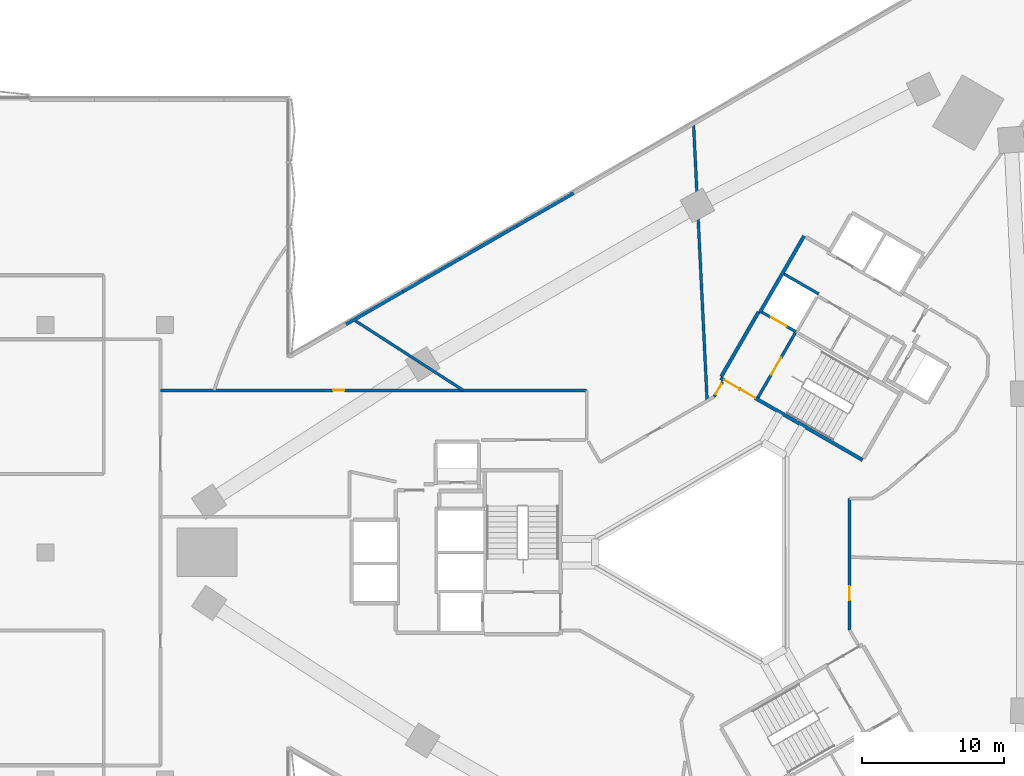
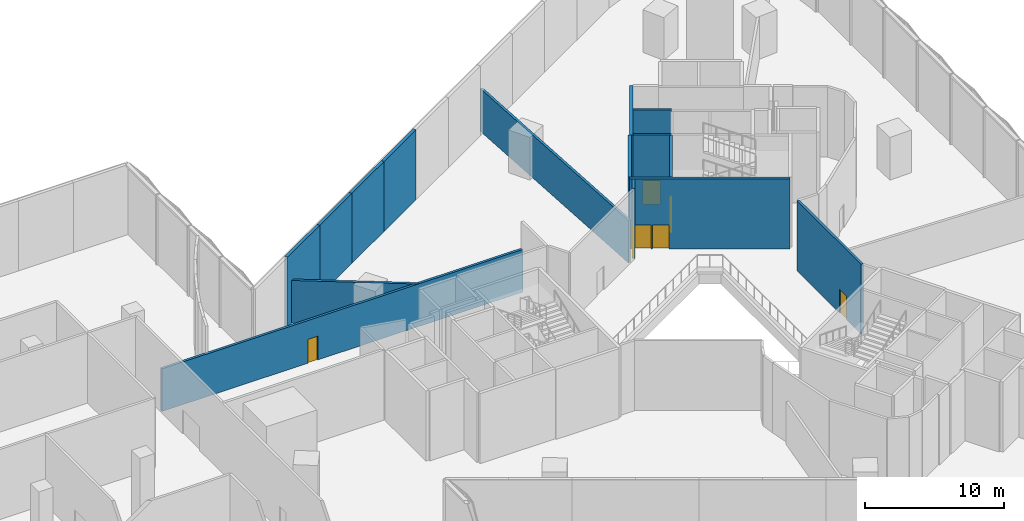
# One storey, part 16 of 32: 15 walls, 7 doors, 7 openings.
"""IFC4 building model written with IfcOpenShell, lengths in metres."""

from ifc_helpers import new_model, si_unit, direction, frame, frame_2d, origin, place, context, subcontext, project, spatial, rectangle, extrude, material, layer, layer_set, type_object, element, fill, save


model = new_model("IFC4")

# Units and contexts
model_context = context("Model", 3, precision=1e-05, world=origin(), true_north=direction((0.0, 1.0)))
body_context = subcontext(model_context, "Body", "Model", "MODEL_VIEW")
ifc_project = project(units=[si_unit("LENGTHUNIT", "METRE"), si_unit("AREAUNIT", "SQUARE_METRE"), si_unit("VOLUMEUNIT", "CUBIC_METRE"), si_unit("PLANEANGLEUNIT", "RADIAN"), si_unit("MASSUNIT", "GRAM", prefix="KILO")], contexts=[model_context])

# Site, building, storey
site_placement = place(None, origin())
site = spatial("IfcSite", under=ifc_project, at=site_placement, CompositionType="ELEMENT")
building_placement = place(site_placement, origin())
building = spatial("IfcBuilding", under=site, at=building_placement, Name="Tamra Quay Hotel Tower", CompositionType="ELEMENT")
storey_placement = place(building_placement, frame((0.0, 0.0, 7.5)))
storey = spatial("IfcBuildingStorey", under=building, at=storey_placement, Name="L01", CompositionType="ELEMENT", Elevation=7.5)

# Wall, opening, door
ifc_material_1 = material(Name="Concrete M70", Category="concrete")
ifc_layer_1 = layer(ifc_material_1, 0.199951171875)
ifc_layer_set_1 = layer_set([ifc_layer_1], Name="Concrete M70 core wall 200")
wall_type_1 = type_object("IfcWallType", Name="Concrete M70 core wall 200", PredefinedType="SHEAR", material=ifc_layer_set_1)
wall_1_placement = place(storey_placement, frame((3.056640625, 10.89453125, 0.0), z_axis=(0.0, 0.0, 1.0), x_axis=(0.499989418164, 0.866031513124, 0.0)))
wall_1 = element("IfcWall", 1, at=wall_1_placement, inside=storey, type_object=wall_type_1, Name="CW2", PredefinedType="SHEAR", context=body_context, shape_type="SweptSolid", body=[
    extrude(rectangle(XDim=5.2509765625, YDim=0.199951171875, at=frame_2d((2.62548828125, 0.0))), origin(), (0.0, 0.0, 1.0), 6.14990234375),
])
opening_1_placement = place(wall_1_placement, frame((1.84912109375, 0.0, 0.0)))
opening_1 = element("IfcOpeningElement", 2, at=opening_1_placement, cuts=wall_1, Name="Opening FD2", PredefinedType="OPENING", context=body_context, shape_type="SweptSolid", body=[
    extrude(rectangle(XDim=1.39990234375, YDim=2.10009765625, at=frame_2d((0.699951171875, 1.050048828125))), frame((0.0, 0.10986328125, 0.0), z_axis=(0.0, -1.0, 0.0), x_axis=(1.0, 0.0, 0.0)), (0.0, 0.0, 1.0), 0.219970703125),
])
ifc_material_2 = material(Name="Core door FD2 1400x2100 RH")
door_type_1 = type_object("IfcDoorType", Name="Core door FD2 1400x2100 RH", OperationType="NOTDEFINED", PredefinedType="DOOR", material=ifc_material_2)
door_1_placement = place(opening_1_placement, origin())
door_1 = element("IfcDoor", 3, at=door_1_placement, inside=storey, type_object=door_type_1, Name="FD2", OperationType="SINGLE_SWING_RIGHT", OverallHeight=2.10009765625, OverallWidth=1.39990234375, PredefinedType="DOOR", context=body_context, shape_type="SweptSolid", body=[
    extrude(rectangle(XDim=1.39990234375, YDim=2.10009765625, at=frame_2d((0.699951171875, 1.050048828125))), frame((0.0, 0.02490234375, 0.0), z_axis=(0.0, -1.0, 0.0), x_axis=(1.0, 0.0, 0.0)), (0.0, 0.0, 1.0), 0.050048828125),
])
fill(opening_1, door_1)

wall_2_placement = place(storey_placement, frame((5.72509765625, 15.530517578125, 0.0), z_axis=(0.0, 0.0, 1.0), x_axis=(-0.866037306777, 0.499979382845, 0.0)))
wall_2 = element("IfcWall", 4, at=wall_2_placement, inside=storey, type_object=wall_type_1, Name="CW2", PredefinedType="SHEAR", context=body_context, shape_type="SweptSolid", body=[
    extrude(rectangle(XDim=2.74169921875, YDim=0.199951171875, at=frame_2d((1.370849609375, 0.0))), origin(), (0.0, 0.0, 1.0), 6.14990234375),
])
opening_2_placement = place(wall_2_placement, frame((0.742919921875, 0.0, 0.0)))
opening_2 = element("IfcOpeningElement", 5, at=opening_2_placement, cuts=wall_2, Name="Opening LD", PredefinedType="OPENING", context=body_context, shape_type="SweptSolid", body=[
    extrude(rectangle(XDim=1.300048828125, YDim=2.10009765625, at=frame_2d((0.64990234375, 1.050048828125))), frame((0.0, 0.10986328125, 0.0), z_axis=(0.0, -1.0, 0.0), x_axis=(1.0, 0.0, 0.0)), (0.0, 0.0, 1.0), 0.219970703125),
])
ifc_material_3 = material(Name="Landing door LD 1300 sliding to right")
door_type_2 = type_object("IfcDoorType", Name="Landing door LD 1300 sliding to right", OperationType="NOTDEFINED", PredefinedType="DOOR", material=ifc_material_3)
door_2_placement = place(opening_2_placement, origin())
door_2 = element("IfcDoor", 6, at=door_2_placement, inside=storey, type_object=door_type_2, Name="LD", OperationType="SLIDING_TO_RIGHT", OverallHeight=2.10009765625, OverallWidth=1.300048828125, PredefinedType="DOOR", context=body_context, shape_type="SweptSolid", body=[
    extrude(rectangle(XDim=1.300048828125, YDim=2.10009765625, at=frame_2d((0.64990234375, 1.050048828125))), frame((0.0, 0.02490234375, 0.0), z_axis=(0.0, -1.0, 0.0), x_axis=(1.0, 0.0, 0.0)), (0.0, 0.0, 1.0), 0.050048828125),
])
fill(opening_2, door_2)

# Wall
wall_3_placement = place(storey_placement, frame((4.900634765625, 19.5859375, 0.0), z_axis=(0.0, 0.0, 1.0), x_axis=(0.866022890907, -0.500004352405, 0.0)))
element("IfcWall", 7, at=wall_3_placement, inside=storey, type_object=wall_type_1, Name="CW2", PredefinedType="SHEAR", context=body_context, shape_type="SweptSolid", body=[
    extrude(rectangle(XDim=2.798828125, YDim=0.199951171875, at=frame_2d((1.3994140625, 0.0))), origin(), (0.0, 0.0, 1.0), 6.14990234375),
])

# Wall, openings, doors
ifc_layer_2 = layer(ifc_material_1, 0.25)
ifc_layer_set_2 = layer_set([ifc_layer_2], Name="Concrete M70 core wall 250")
wall_type_2 = type_object("IfcWallType", Name="Concrete M70 core wall 250", PredefinedType="SHEAR", material=ifc_layer_set_2)
wall_4_placement = place(storey_placement, frame((10.419921875, 6.497802734375, 0.0), z_axis=(0.0, 0.0, 1.0), x_axis=(-0.866021906294, 0.500006057782, 0.0)))
wall_4 = element("IfcWall", 8, at=wall_4_placement, inside=storey, type_object=wall_type_2, Name="CW1", PredefinedType="SHEAR", context=body_context, shape_type="SweptSolid", body=[
    extrude(rectangle(XDim=11.550048828125, YDim=0.25, at=frame_2d((5.77490234375, 0.0))), origin(), (0.0, 0.0, 1.0), 6.14990234375),
])
opening_3_placement = place(wall_4_placement, frame((10.02490234375, 0.0, 0.0)))
opening_3 = element("IfcOpeningElement", 9, at=opening_3_placement, cuts=wall_4, Name="Opening FD1", PredefinedType="OPENING", context=body_context, shape_type="SweptSolid", body=[
    extrude(rectangle(XDim=1.199951171875, YDim=2.10009765625, at=frame_2d((0.60009765625, 1.050048828125))), frame((0.0, 0.135009765625, 0.0), z_axis=(0.0, -1.0, 0.0), x_axis=(1.0, 0.0, 0.0)), (0.0, 0.0, 1.0), 0.27001953125),
])
opening_4_placement = place(wall_4_placement, frame((8.724853515625, 0.0, 0.0)))
opening_4 = element("IfcOpeningElement", 10, at=opening_4_placement, cuts=wall_4, Name="Opening FD1", PredefinedType="OPENING", context=body_context, shape_type="SweptSolid", body=[
    extrude(rectangle(XDim=1.199951171875, YDim=2.10009765625, at=frame_2d((0.60009765625, 1.050048828125))), frame((0.0, 0.135009765625, 0.0), z_axis=(0.0, -1.0, 0.0), x_axis=(1.0, 0.0, 0.0)), (0.0, 0.0, 1.0), 0.27001953125),
])
ifc_material_4 = material(Name="Core door FD1 1200x2100 LH")
door_type_3 = type_object("IfcDoorType", Name="Core door FD1 1200x2100 LH", OperationType="NOTDEFINED", PredefinedType="DOOR", material=ifc_material_4)
door_3_placement = place(opening_3_placement, origin())
door_3 = element("IfcDoor", 11, at=door_3_placement, inside=storey, type_object=door_type_3, Name="FD1", OperationType="SINGLE_SWING_LEFT", OverallHeight=2.10009765625, OverallWidth=1.199951171875, PredefinedType="DOOR", context=body_context, shape_type="SweptSolid", body=[
    extrude(rectangle(XDim=1.199951171875, YDim=2.10009765625, at=frame_2d((0.60009765625, 1.050048828125))), frame((0.0, 0.02490234375, 0.0), z_axis=(0.0, -1.0, 0.0), x_axis=(1.0, 0.0, 0.0)), (0.0, 0.0, 1.0), 0.050048828125),
])
fill(opening_3, door_3)
ifc_material_5 = material(Name="Core door FD1 1200x2100 RH")
door_type_4 = type_object("IfcDoorType", Name="Core door FD1 1200x2100 RH", OperationType="NOTDEFINED", PredefinedType="DOOR", material=ifc_material_5)
door_4_placement = place(opening_4_placement, origin())
door_4 = element("IfcDoor", 12, at=door_4_placement, inside=storey, type_object=door_type_4, Name="FD1", OperationType="SINGLE_SWING_RIGHT", OverallHeight=2.10009765625, OverallWidth=1.199951171875, PredefinedType="DOOR", context=body_context, shape_type="SweptSolid", body=[
    extrude(rectangle(XDim=1.199951171875, YDim=2.10009765625, at=frame_2d((0.60009765625, 1.050048828125))), frame((0.0, 0.02490234375, 0.0), z_axis=(0.0, -1.0, 0.0), x_axis=(1.0, 0.0, 0.0)), (0.0, 0.0, 1.0), 0.050048828125),
])
fill(opening_4, door_4)

# Walls
wall_5_placement = place(storey_placement, frame((3.178955078125, 16.856201171875, 0.0), z_axis=(0.0, 0.0, 1.0), x_axis=(0.500004234368, 0.866022959057, 0.0)))
element("IfcWall", 13, at=wall_5_placement, inside=storey, type_object=wall_type_2, Name="CW1", PredefinedType="SHEAR", context=body_context, shape_type="SweptSolid", body=[
    extrude(rectangle(XDim=6.25, YDim=0.25, at=frame_2d((3.125, 0.0))), origin(), (0.0, 0.0, 1.0), 6.14990234375),
])
wall_6_placement = place(storey_placement, frame((0.47998046875, 12.38134765625, 0.0), z_axis=(0.0, 0.0, 1.0), x_axis=(0.49999885962, 0.866026062182, 0.0)))
element("IfcWall", 14, at=wall_6_placement, inside=storey, type_object=wall_type_2, Name="CW1", PredefinedType="SHEAR", context=body_context, shape_type="SweptSolid", body=[
    extrude(rectangle(XDim=5.224609375, YDim=0.25, at=frame_2d((2.6123046875, 0.0))), origin(), (0.0, 0.0, 1.0), 6.14990234375),
])
ifc_material_6 = material(Name="Blockwork masonry plastered", Category="masonry")
ifc_layer_3 = layer(ifc_material_6, 0.25)
ifc_layer_set_3 = layer_set([ifc_layer_3], Name="EXTERNAL WALL 250")
wall_type_3 = type_object("IfcWallType", Name="EXTERNAL WALL 250", PredefinedType="SOLIDWALL", material=ifc_layer_set_3)
for number, where, z_axis, x_axis, name in (
    (15, (-13.930419921875, 22.981689453125, 0.0), (0.0, 0.0, 1.0), (0.866216377649, 0.499669077583, 0.0), "EW1"),
    (16, (-17.93212890625, 20.67333984375, 0.0), (0.0, 0.0, 1.0), (0.866216377649, 0.499669077583, 0.0), "EW1"),
    (17, (-21.93408203125, 18.364990234375, 0.0), (0.0, 0.0, 1.0), (0.866229571029, 0.499646205105, 0.0), "EW1"),
    (18, (-25.935791015625, 16.056640625, 0.0), (0.0, 0.0, 1.0), (0.866216377649, 0.499669077583, 0.0), "EW1"),
):
    element("IfcWall", number, at=place(storey_placement, frame(where, z_axis=z_axis, x_axis=x_axis)), inside=storey, type_object=wall_type_3, Name=name, PredefinedType="SOLIDWALL", context=body_context, shape_type="SweptSolid", body=[
        extrude(rectangle(XDim=4.619873046875, YDim=0.25, at=frame_2d((2.31005859375, 0.0))), origin(), (0.0, 0.0, 1.0), 6.14990234375),
    ])

# Wall, opening, door
ifc_material_7 = material(Name="Partition corridor wall")
ifc_layer_4 = layer(ifc_material_7, 0.199951171875)
ifc_layer_set_4 = layer_set([ifc_layer_4], Name="Partition corridor wall")
wall_type_4 = type_object("IfcWallType", Name="Partition corridor wall", PredefinedType="PARTITIONING", material=ifc_layer_set_4)
wall_7_placement = place(storey_placement, frame((-0.02197265625, 10.962890625, 0.0), z_axis=(0.0, 0.0, 1.0), x_axis=(0.499306595062, 0.866425371355, 0.0)))
wall_7 = element("IfcWall", 19, at=wall_7_placement, inside=storey, type_object=wall_type_4, Name="W-C", PredefinedType="PARTITIONING", context=body_context, shape_type="SweptSolid", body=[
    extrude(rectangle(XDim=1.169189453125, YDim=0.199951171875, at=frame_2d((0.58447265625, 0.0))), origin(), (0.0, 0.0, 1.0), 6.14990234375),
])
opening_5_placement = place(wall_7_placement, frame((0.199951171875, 0.0, 0.0)))
opening_5 = element("IfcOpeningElement", 20, at=opening_5_placement, cuts=wall_7, Name="Opening L01-D016", PredefinedType="OPENING", context=body_context, shape_type="SweptSolid", body=[
    extrude(rectangle(XDim=0.820068359375, YDim=2.10009765625, at=frame_2d((0.41015625, 1.050048828125))), frame((0.0, 0.10986328125, 0.0), z_axis=(0.0, -1.0, 0.0), x_axis=(1.0, 0.0, 0.0)), (0.0, 0.0, 1.0), 0.219970703125),
])
ifc_material_8 = material(Name="Door guest room 820x2100")
door_type_5 = type_object("IfcDoorType", Name="Door guest room 820x2100", OperationType="NOTDEFINED", PredefinedType="DOOR", material=ifc_material_8)
door_5_placement = place(opening_5_placement, origin())
door_5 = element("IfcDoor", 21, at=door_5_placement, inside=storey, type_object=door_type_5, Name="L01-D016", OperationType="SINGLE_SWING_LEFT", OverallHeight=2.10009765625, OverallWidth=0.820068359375, PredefinedType="DOOR", context=body_context, shape_type="SweptSolid", body=[
    extrude(rectangle(XDim=0.820068359375, YDim=2.10009765625, at=frame_2d((0.41015625, 1.050048828125))), frame((0.0, 0.02490234375, 0.0), z_axis=(0.0, -1.0, 0.0), x_axis=(1.0, 0.0, 0.0)), (0.0, 0.0, 1.0), 0.050048828125),
])
fill(opening_5, door_5)

wall_8_placement = place(storey_placement, frame((9.5, -5.4541015625, 0.0), z_axis=(0.0, 0.0, 1.0), x_axis=(0.0, 1.0, 0.0)))
wall_8 = element("IfcWall", 22, at=wall_8_placement, inside=storey, type_object=wall_type_4, Name="W-C", PredefinedType="PARTITIONING", context=body_context, shape_type="SweptSolid", body=[
    extrude(rectangle(XDim=9.238037109375, YDim=0.199951171875, at=frame_2d((4.619140625, 0.0))), origin(), (0.0, 0.0, 1.0), 6.14990234375),
])
opening_6_placement = place(wall_8_placement, frame((2.06689453125, 0.0, 0.0)))
opening_6 = element("IfcOpeningElement", 23, at=opening_6_placement, cuts=wall_8, Name="Opening L01-D021", PredefinedType="OPENING", context=body_context, shape_type="SweptSolid", body=[
    extrude(rectangle(XDim=1.0, YDim=2.10009765625, at=frame_2d((0.5, 1.050048828125))), frame((0.0, 0.10986328125, 0.0), z_axis=(0.0, -1.0, 0.0), x_axis=(1.0, 0.0, 0.0)), (0.0, 0.0, 1.0), 0.219970703125),
])
ifc_material_9 = material(Name="Door guest room 1000x2100")
door_type_6 = type_object("IfcDoorType", Name="Door guest room 1000x2100", OperationType="NOTDEFINED", PredefinedType="DOOR", material=ifc_material_9)
door_6_placement = place(opening_6_placement, frame((1.0, 0.0, 0.0), z_axis=(0.0, 0.0, 1.0), x_axis=(-1.0, 0.0, 0.0)))
door_6 = element("IfcDoor", 24, at=door_6_placement, inside=storey, type_object=door_type_6, Name="L01-D021", OperationType="SINGLE_SWING_LEFT", OverallHeight=2.10009765625, OverallWidth=1.0, PredefinedType="DOOR", context=body_context, shape_type="SweptSolid", body=[
    extrude(rectangle(XDim=1.0, YDim=2.10009765625, at=frame_2d((0.5, 1.050048828125))), frame((0.0, 0.02490234375, 0.0), z_axis=(0.0, -1.0, 0.0), x_axis=(1.0, 0.0, 0.0)), (0.0, 0.0, 1.0), 0.050048828125),
])
fill(opening_6, door_6)

ifc_material_10 = material(Name="Partition party wall")
ifc_layer_5 = layer(ifc_material_10, 0.199951171875)
ifc_layer_set_5 = layer_set([ifc_layer_5], Name="Partition party wall")
wall_type_5 = type_object("IfcWallType", Name="Partition party wall", PredefinedType="PARTITIONING", material=ifc_layer_set_5)
wall_9_placement = place(storey_placement, frame((-38.998046875, 11.40087890625, 0.0), z_axis=(0.0, 0.0, 1.0), x_axis=(1.0, 0.0, 0.0)))
wall_9 = element("IfcWall", 25, at=wall_9_placement, inside=storey, type_object=wall_type_5, Name="W-P", PredefinedType="PARTITIONING", context=body_context, shape_type="SweptSolid", body=[
    extrude(rectangle(XDim=29.998046875, YDim=0.199951171875, at=frame_2d((14.9990234375, 0.0))), origin(), (0.0, 0.0, 1.0), 3.75),
])
opening_7_placement = place(wall_9_placement, frame((12.1416015625, 0.0, 0.0)))
opening_7 = element("IfcOpeningElement", 26, at=opening_7_placement, cuts=wall_9, Name="Opening L01-D018", PredefinedType="OPENING", context=body_context, shape_type="SweptSolid", body=[
    extrude(rectangle(XDim=0.800048828125, YDim=2.10009765625, at=frame_2d((0.39990234375, 1.050048828125))), frame((0.0, 0.10986328125, 0.0), z_axis=(0.0, -1.0, 0.0), x_axis=(1.0, 0.0, 0.0)), (0.0, 0.0, 1.0), 0.219970703125),
])
ifc_material_11 = material(Name="Door service room 800x2100")
door_type_7 = type_object("IfcDoorType", Name="Door service room 800x2100", OperationType="NOTDEFINED", PredefinedType="DOOR", material=ifc_material_11)
door_7_placement = place(opening_7_placement, origin())
door_7 = element("IfcDoor", 27, at=door_7_placement, inside=storey, type_object=door_type_7, Name="L01-D018", OperationType="SINGLE_SWING_LEFT", OverallHeight=2.10009765625, OverallWidth=0.800048828125, PredefinedType="DOOR", context=body_context, shape_type="SweptSolid", body=[
    extrude(rectangle(XDim=0.800048828125, YDim=2.10009765625, at=frame_2d((0.39990234375, 1.050048828125))), frame((0.0, 0.02490234375, 0.0), z_axis=(0.0, -1.0, 0.0), x_axis=(1.0, 0.0, 0.0)), (0.0, 0.0, 1.0), 0.050048828125),
])
fill(opening_7, door_7)

# Walls
wall_10_placement = place(storey_placement, frame((-25.509033203125, 16.444091796875, 0.0), z_axis=(0.0, 0.0, 1.0), x_axis=(0.840484744403, -0.541835209659, 0.0)))
element("IfcWall", 28, at=wall_10_placement, inside=storey, type_object=wall_type_5, Name="W-P", PredefinedType="PARTITIONING", context=body_context, shape_type="SweptSolid", body=[
    extrude(rectangle(XDim=9.305419921875, YDim=0.199951171875, at=frame_2d((4.65283203125, 0.0))), origin(), (0.0, 0.0, 1.0), 3.75),
])
wall_11_placement = place(storey_placement, frame((-1.486328125, 30.313720703125, 0.0), z_axis=(0.0, 0.0, 1.0), x_axis=(0.048983522072, -0.998799586787, 0.0)))
element("IfcWall", 29, at=wall_11_placement, inside=storey, type_object=wall_type_5, Name="W-P", PredefinedType="PARTITIONING", context=body_context, shape_type="SweptSolid", body=[
    extrude(rectangle(XDim=19.66748046875, YDim=0.199951171875, at=frame_2d((9.833740234375, 0.0))), origin(), (0.0, 0.0, 1.0), 3.75),
])

save(model, "model.ifc")
